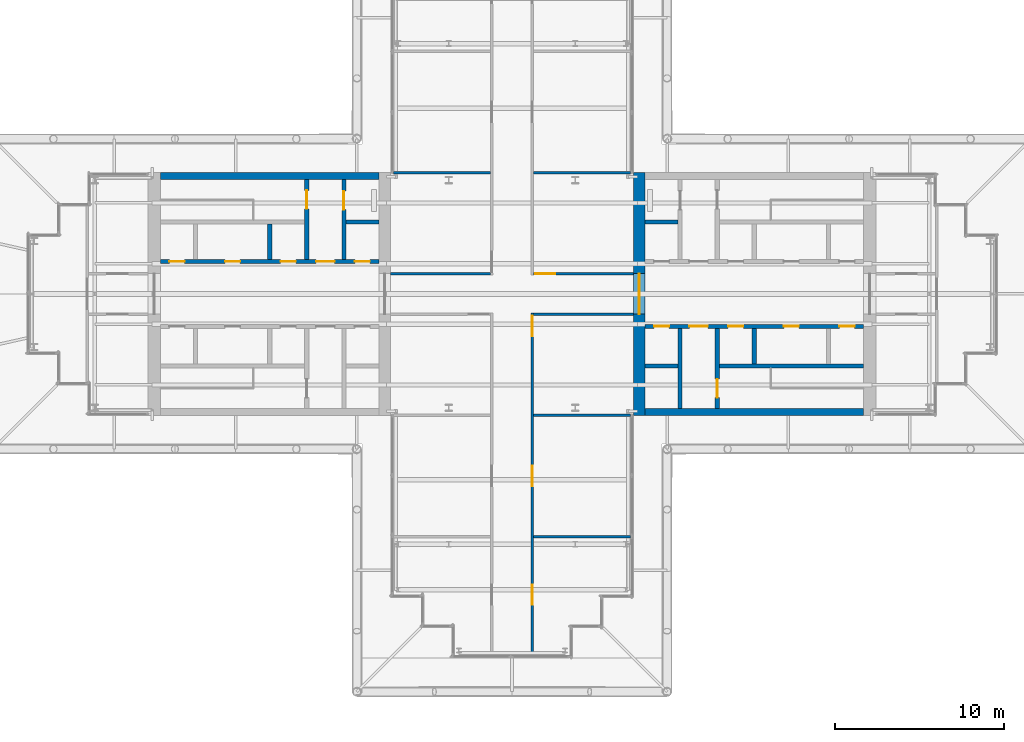
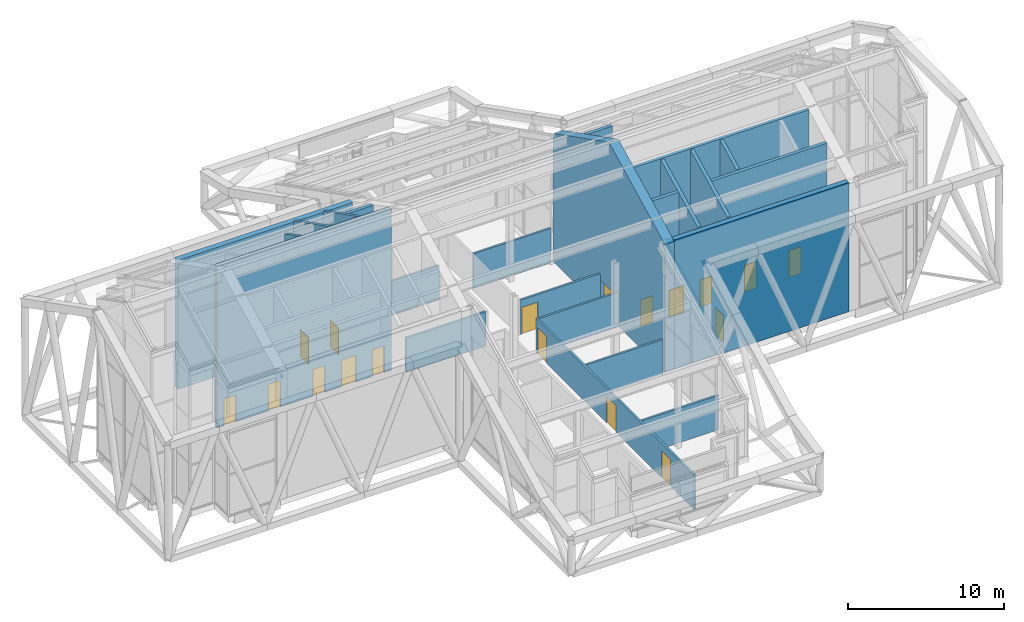
# One storey, part 21 of 25: 23 walls, 18 doors, 18 openings.
"""IFC4 building model written with IfcOpenShell, lengths in metres."""

from ifc_helpers import new_model, si_unit, direction, frame, frame_2d, origin, place, context, subcontext, project, spatial, polyline, rectangle, outline, extrude, material, layer, layer_set, type_object, element, fill, save


model = new_model("IFC4")

# Units and contexts
model_context = context("Model", 3, precision=1e-05, world=origin(), true_north=direction((0.0, 1.0)))
body_context = subcontext(model_context, "Body", "Model", "MODEL_VIEW")
ifc_project = project(units=[si_unit("LENGTHUNIT", "METRE"), si_unit("AREAUNIT", "SQUARE_METRE"), si_unit("VOLUMEUNIT", "CUBIC_METRE"), si_unit("PLANEANGLEUNIT", "RADIAN"), si_unit("MASSUNIT", "GRAM", prefix="KILO")], contexts=[model_context])

# Site, building, storey
site_placement = place(None, origin())
site = spatial("IfcSite", under=ifc_project, at=site_placement, CompositionType="ELEMENT")
building_placement = place(site_placement, origin())
building = spatial("IfcBuilding", under=site, at=building_placement, Name="Fustian Cross Tower", CompositionType="ELEMENT")
storey_placement = place(building_placement, frame((0.0, 0.0, 247.5)))
storey = spatial("IfcBuildingStorey", under=building, at=storey_placement, Name="L77", CompositionType="ELEMENT", Elevation=247.5)

# Walls
ifc_material_1 = material(Name="Plasterboard on steel stud", Category="steel")
ifc_layer_1 = layer(ifc_material_1, 0.14990234375)
ifc_layer_set_1 = layer_set([ifc_layer_1], Name="Plasterboard on steel stud")
wall_type_1 = type_object("IfcWallType", Name="COMPARTMENT WALL 150 EI 60", PredefinedType="PARTITIONING", material=ifc_layer_set_1)
wall_1_placement = place(storey_placement, frame((-7.199951171875, 1.199951171875, 0.0), z_axis=(0.0, 0.0, 1.0), x_axis=(1.0, 0.0, 0.0)))
element("IfcWall", 1, at=wall_1_placement, inside=storey, type_object=wall_type_1, Name="Partition 5", PredefinedType="PARTITIONING", context=body_context, shape_type="SweptSolid", body=[
    extrude(rectangle(XDim=5.925048828125, YDim=0.14990234375, at=frame_2d((2.96240234375, 0.0))), origin(), (0.0, 0.0, 1.0), 2.699951171875),
])
wall_2_placement = place(storey_placement, frame((-7.02001953125, 7.199951171875, 0.0), z_axis=(0.0, 0.0, 1.0), x_axis=(1.0, 0.0, 0.0)))
element("IfcWall", 2, at=wall_2_placement, inside=storey, type_object=wall_type_1, Name="Partition 8", PredefinedType="PARTITIONING", context=body_context, shape_type="SweptSolid", body=[
    extrude(rectangle(XDim=5.7451171875, YDim=0.14990234375, at=frame_2d((2.87255859375, 0.0))), origin(), (0.0, 0.0, 1.0), 2.699951171875),
])

# Wall, openings, doors
wall_3_placement = place(storey_placement, frame((1.199951171875, -21.419921875, 0.0), z_axis=(0.0, 0.0, 1.0), x_axis=(0.0, 1.0, 0.0)))
wall_3 = element("IfcWall", 3, at=wall_3_placement, inside=storey, type_object=wall_type_1, Name="Partition 12", PredefinedType="PARTITIONING", context=body_context, shape_type="SweptSolid", body=[
    extrude(rectangle(XDim=20.294921875, YDim=0.14990234375, at=frame_2d((10.1474609375, 0.0))), origin(), (0.0, 0.0, 1.0), 2.699951171875),
])
opening_1_placement = place(wall_3_placement, frame((18.919921875, 0.0, 0.0)))
opening_1 = element("IfcOpeningElement", 4, at=opening_1_placement, cuts=wall_3, Name="Opening D36004", PredefinedType="OPENING", context=body_context, shape_type="SweptSolid", body=[
    extrude(rectangle(XDim=1.199951171875, YDim=2.10009765625, at=frame_2d((0.60009765625, 1.050048828125))), frame((0.0, 0.0849609375, 0.0), z_axis=(0.0, -1.0, 0.0), x_axis=(1.0, 0.0, 0.0)), (0.0, 0.0, 1.0), 0.169921875),
])
opening_2_placement = place(wall_3_placement, frame((10.02001953125, 0.0, 0.0)))
opening_2 = element("IfcOpeningElement", 5, at=opening_2_placement, cuts=wall_3, Name="Opening D36009", PredefinedType="OPENING", context=body_context, shape_type="SweptSolid", body=[
    extrude(rectangle(XDim=1.199951171875, YDim=2.10009765625, at=frame_2d((0.60009765625, 1.050048828125))), frame((0.0, 0.0849609375, 0.0), z_axis=(0.0, -1.0, 0.0), x_axis=(1.0, 0.0, 0.0)), (0.0, 0.0, 1.0), 0.169921875),
])
opening_3_placement = place(wall_3_placement, frame((2.969970703125, 0.0, 0.0)))
opening_3 = element("IfcOpeningElement", 6, at=opening_3_placement, cuts=wall_3, Name="Opening D36010", PredefinedType="OPENING", context=body_context, shape_type="SweptSolid", body=[
    extrude(rectangle(XDim=1.199951171875, YDim=2.10009765625, at=frame_2d((0.60009765625, 1.050048828125))), frame((0.0, 0.0849609375, 0.0), z_axis=(0.0, -1.0, 0.0), x_axis=(1.0, 0.0, 0.0)), (0.0, 0.0, 1.0), 0.169921875),
])
ifc_material_2 = material(Name="Timber fire door set", Category="wood")
door_type_1 = type_object("IfcDoorType", Name="FIRE SWING DOOR 1200 FD60S", OperationType="SINGLE_SWING_LEFT", PredefinedType="DOOR", material=ifc_material_2)
door_1_placement = place(opening_1_placement, frame((1.199951171875, 0.0, 0.0), z_axis=(0.0, 0.0, 1.0), x_axis=(-1.0, 0.0, 0.0)))
door_1 = element("IfcDoor", 7, at=door_1_placement, inside=storey, type_object=door_type_1, Name="Door D36004", OperationType="SINGLE_SWING_LEFT", OverallHeight=2.10009765625, OverallWidth=1.199951171875, PredefinedType="DOOR", context=body_context, shape_type="SweptSolid", body=[
    extrude(rectangle(XDim=1.199951171875, YDim=2.10009765625, at=frame_2d((0.60009765625, 1.050048828125))), frame((0.0, 0.02490234375, 0.0), z_axis=(0.0, -1.0, 0.0), x_axis=(1.0, 0.0, 0.0)), (0.0, 0.0, 1.0), 0.050048828125),
])
fill(opening_1, door_1)
door_2_placement = place(opening_2_placement, origin())
door_2 = element("IfcDoor", 8, at=door_2_placement, inside=storey, type_object=door_type_1, Name="Door D36009", OperationType="SINGLE_SWING_LEFT", OverallHeight=2.10009765625, OverallWidth=1.199951171875, PredefinedType="DOOR", context=body_context, shape_type="SweptSolid", body=[
    extrude(rectangle(XDim=1.199951171875, YDim=2.10009765625, at=frame_2d((0.60009765625, 1.050048828125))), frame((0.0, 0.02490234375, 0.0), z_axis=(0.0, -1.0, 0.0), x_axis=(1.0, 0.0, 0.0)), (0.0, 0.0, 1.0), 0.050048828125),
])
fill(opening_2, door_2)
door_3_placement = place(opening_3_placement, origin())
door_3 = element("IfcDoor", 9, at=door_3_placement, inside=storey, type_object=door_type_1, Name="Door D36010", OperationType="SINGLE_SWING_LEFT", OverallHeight=2.10009765625, OverallWidth=1.199951171875, PredefinedType="DOOR", context=body_context, shape_type="SweptSolid", body=[
    extrude(rectangle(XDim=1.199951171875, YDim=2.10009765625, at=frame_2d((0.60009765625, 1.050048828125))), frame((0.0, 0.02490234375, 0.0), z_axis=(0.0, -1.0, 0.0), x_axis=(1.0, 0.0, 0.0)), (0.0, 0.0, 1.0), 0.050048828125),
])
fill(opening_3, door_3)

# Walls
for number, where, z_axis, x_axis, name in (
    (10, (1.27490234375, -14.39990234375, 0.0), (0.0, 0.0, 1.0), (1.0, 0.0, 0.0), "Partition 13"),
    (11, (1.27490234375, -7.199951171875, 0.0), (0.0, 0.0, 1.0), (1.0, 0.0, 0.0), "Partition 14"),
):
    element("IfcWall", number, at=place(storey_placement, frame(where, z_axis=z_axis, x_axis=x_axis)), inside=storey, type_object=wall_type_1, Name=name, PredefinedType="PARTITIONING", context=body_context, shape_type="SweptSolid", body=[
        extrude(rectangle(XDim=5.7451171875, YDim=0.14990234375, at=frame_2d((2.87255859375, 0.0))), origin(), (0.0, 0.0, 1.0), 2.699951171875),
    ])
wall_4_placement = place(storey_placement, frame((1.27490234375, -1.199951171875, 0.0), z_axis=(0.0, 0.0, 1.0), x_axis=(1.0, 0.0, 0.0)))
element("IfcWall", 12, at=wall_4_placement, inside=storey, type_object=wall_type_1, Name="Partition 15", PredefinedType="PARTITIONING", context=body_context, shape_type="SweptSolid", body=[
    extrude(rectangle(XDim=5.925048828125, YDim=0.14990234375, at=frame_2d((2.96240234375, 0.0))), origin(), (0.0, 0.0, 1.0), 2.699951171875),
])

# Wall, opening, door
wall_5_placement = place(storey_placement, frame((1.27490234375, 1.199951171875, 0.0), z_axis=(0.0, 0.0, 1.0), x_axis=(1.0, 0.0, 0.0)))
wall_5 = element("IfcWall", 13, at=wall_5_placement, inside=storey, type_object=wall_type_1, Name="Partition 17", PredefinedType="PARTITIONING", context=body_context, shape_type="SweptSolid", body=[
    extrude(rectangle(XDim=5.925048828125, YDim=0.14990234375, at=frame_2d((2.96240234375, 0.0))), origin(), (0.0, 0.0, 1.0), 2.699951171875),
])
opening_4_placement = place(wall_5_placement, frame((0.10009765625, 0.0, 0.0)))
opening_4 = element("IfcOpeningElement", 14, at=opening_4_placement, cuts=wall_5, Name="Opening D36001", PredefinedType="OPENING", context=body_context, shape_type="SweptSolid", body=[
    extrude(rectangle(XDim=1.199951171875, YDim=2.10009765625, at=frame_2d((0.60009765625, 1.050048828125))), frame((0.0, 0.0849609375, 0.0), z_axis=(0.0, -1.0, 0.0), x_axis=(1.0, 0.0, 0.0)), (0.0, 0.0, 1.0), 0.169921875),
])
door_4_placement = place(opening_4_placement, frame((1.199951171875, 0.0, 0.0), z_axis=(0.0, 0.0, 1.0), x_axis=(-1.0, 0.0, 0.0)))
door_4 = element("IfcDoor", 15, at=door_4_placement, inside=storey, type_object=door_type_1, Name="Door D36001", OperationType="SINGLE_SWING_LEFT", OverallHeight=2.10009765625, OverallWidth=1.199951171875, PredefinedType="DOOR", context=body_context, shape_type="SweptSolid", body=[
    extrude(rectangle(XDim=1.199951171875, YDim=2.10009765625, at=frame_2d((0.60009765625, 1.050048828125))), frame((0.0, 0.02490234375, 0.0), z_axis=(0.0, -1.0, 0.0), x_axis=(1.0, 0.0, 0.0)), (0.0, 0.0, 1.0), 0.050048828125),
])
fill(opening_4, door_4)

# Wall
wall_6_placement = place(storey_placement, frame((1.27490234375, 7.199951171875, 0.0), z_axis=(0.0, 0.0, 1.0), x_axis=(1.0, 0.0, 0.0)))
element("IfcWall", 16, at=wall_6_placement, inside=storey, type_object=wall_type_1, Name="Partition 18", PredefinedType="PARTITIONING", context=body_context, shape_type="SweptSolid", body=[
    extrude(rectangle(XDim=5.7451171875, YDim=0.14990234375, at=frame_2d((2.87255859375, 0.0))), origin(), (0.0, 0.0, 1.0), 2.699951171875),
])

# Wall, opening, door
ifc_material_3 = material(Name="Concrete C50/60", Category="concrete")
ifc_layer_2 = layer(ifc_material_3, 0.699951171875)
ifc_layer_set_2 = layer_set([ifc_layer_2], Name="Concrete C50/60")
wall_type_2 = type_object("IfcWallType", Name="CORE END WALL 700 C50/60", PredefinedType="SHEAR", material=ifc_layer_set_2)
wall_7_placement = place(storey_placement, frame((7.550048828125, -7.199951171875, 0.0), z_axis=(0.0, 0.0, 1.0), x_axis=(0.0, 1.0, 0.0)))
wall_7 = element("IfcWall", 17, at=wall_7_placement, inside=storey, type_object=wall_type_2, Name="Core end wall", PredefinedType="SHEAR", context=body_context, shape_type="SweptSolid", body=[
    extrude(outline(polyline([(0.0, 0.0), (14.39990234375, 0.0), (14.39990234375, 10.033447265625), (7.199951171875, 13.699951171875), (0.0, 10.033447265625), (0.0, 0.0)])), frame((0.0, 0.35009765625, 0.0), z_axis=(0.0, -1.0, 0.0), x_axis=(1.0, 0.0, 0.0)), (0.0, 0.0, 1.0), 0.699951171875),
])
opening_5_placement = place(wall_7_placement, frame((6.0, 0.0, 0.0)))
opening_5 = element("IfcOpeningElement", 18, at=opening_5_placement, cuts=wall_7, Name="Opening CD-32-08", PredefinedType="OPENING", context=body_context, shape_type="SweptSolid", body=[
    extrude(rectangle(XDim=2.39990234375, YDim=2.199951171875, at=frame_2d((1.199951171875, 1.10009765625))), frame((0.0, 0.35986328125, 0.0), z_axis=(0.0, -1.0, 0.0), x_axis=(1.0, 0.0, 0.0)), (0.0, 0.0, 1.0), 0.719970703125),
])
ifc_material_4 = material(Name="Steel", Category="steel")
door_type_2 = type_object("IfcDoorType", Name="FIRE DOOR FD30S DOUBLE 2400X2200", OperationType="DOUBLE_DOOR_DOUBLE_SWING", PredefinedType="DOOR", material=ifc_material_4)
door_5_placement = place(opening_5_placement, frame((2.39990234375, 0.0, 0.0), z_axis=(0.0, 0.0, 1.0), x_axis=(-1.0, 0.0, 0.0)))
door_5 = element("IfcDoor", 19, at=door_5_placement, inside=storey, type_object=door_type_2, Name="Core door CD-32-08", OperationType="DOUBLE_DOOR_DOUBLE_SWING", OverallHeight=2.199951171875, OverallWidth=2.39990234375, PredefinedType="DOOR", context=body_context, shape_type="SweptSolid", body=[
    extrude(rectangle(XDim=2.39990234375, YDim=2.199951171875, at=frame_2d((1.199951171875, 1.10009765625))), frame((0.0, 0.02490234375, 0.0), z_axis=(0.0, -1.0, 0.0), x_axis=(1.0, 0.0, 0.0)), (0.0, 0.0, 1.0), 0.050048828125),
])
fill(opening_5, door_5)

# Walls
ifc_material_5 = material(Name="Concrete C50/60", Category="concrete")
ifc_layer_3 = layer(ifc_material_5, 0.39990234375)
ifc_layer_set_3 = layer_set([ifc_layer_3], Name="Concrete C50/60")
wall_type_3 = type_object("IfcWallType", Name="CORE FACADE WALL 400 C50/60", PredefinedType="SHEAR", material=ifc_layer_set_3)
for number, where, z_axis, x_axis, name in (
    (20, (7.89990234375, -7.0, 0.0), (0.0, 0.0, 1.0), (1.0, 0.0, 0.0), "Core facade wall"),
    (21, (-7.89990234375, 7.0, 0.0), (0.0, 0.0, 1.0), (-1.0, 0.0, 0.0), "Core facade wall"),
):
    element("IfcWall", number, at=place(storey_placement, frame(where, z_axis=z_axis, x_axis=x_axis)), inside=storey, type_object=wall_type_3, Name=name, PredefinedType="SHEAR", context=body_context, shape_type="SweptSolid", body=[
        extrude(rectangle(XDim=12.9501953125, YDim=0.39990234375, at=frame_2d((6.47509765625, 0.0))), origin(), (0.0, 0.0, 1.0), 10.13525390625),
    ])

# Wall, openings, doors
ifc_material_6 = material(Name="Concrete C50/60", Category="concrete")
ifc_layer_4 = layer(ifc_material_6, 0.25)
ifc_layer_set_4 = layer_set([ifc_layer_4], Name="Concrete C50/60")
wall_type_4 = type_object("IfcWallType", Name="CORE LOBBY WALL 250 C50/60", PredefinedType="SHEAR", material=ifc_layer_set_4)
wall_8_placement = place(storey_placement, frame((7.89990234375, -1.925048828125, 0.0), z_axis=(0.0, 0.0, 1.0), x_axis=(1.0, 0.0, 0.0)))
wall_8 = element("IfcWall", 22, at=wall_8_placement, inside=storey, type_object=wall_type_4, Name="Core lobby wall", PredefinedType="SHEAR", context=body_context, shape_type="SweptSolid", body=[
    extrude(rectangle(XDim=12.9501953125, YDim=0.25, at=frame_2d((6.47509765625, 0.0))), origin(), (0.0, 0.0, 1.0), 12.7197265625),
])
opening_6_placement = place(wall_8_placement, frame((0.52490234375, 0.0, 0.0)))
opening_6 = element("IfcOpeningElement", 23, at=opening_6_placement, cuts=wall_8, Name="Opening CD-32-05", PredefinedType="OPENING", context=body_context, shape_type="SweptSolid", body=[
    extrude(rectangle(XDim=0.89990234375, YDim=2.10009765625, at=frame_2d((0.449951171875, 1.050048828125))), frame((0.0, 0.135009765625, 0.0), z_axis=(0.0, -1.0, 0.0), x_axis=(1.0, 0.0, 0.0)), (0.0, 0.0, 1.0), 0.27001953125),
])
opening_7_placement = place(wall_8_placement, frame((2.625, 0.0, 0.0)))
opening_7 = element("IfcOpeningElement", 24, at=opening_7_placement, cuts=wall_8, Name="Opening CD-32-07", PredefinedType="OPENING", context=body_context, shape_type="SweptSolid", body=[
    extrude(rectangle(XDim=1.10009765625, YDim=2.10009765625, at=frame_2d((0.550048828125, 1.050048828125))), frame((0.0, 0.135009765625, 0.0), z_axis=(0.0, -1.0, 0.0), x_axis=(1.0, 0.0, 0.0)), (0.0, 0.0, 1.0), 0.27001953125),
])
opening_8_placement = place(wall_8_placement, frame((4.925048828125, 0.0, 0.0)))
opening_8 = element("IfcOpeningElement", 25, at=opening_8_placement, cuts=wall_8, Name="Opening CD-32-13", PredefinedType="OPENING", context=body_context, shape_type="SweptSolid", body=[
    extrude(rectangle(XDim=0.89990234375, YDim=2.10009765625, at=frame_2d((0.449951171875, 1.050048828125))), frame((0.0, 0.135009765625, 0.0), z_axis=(0.0, -1.0, 0.0), x_axis=(1.0, 0.0, 0.0)), (0.0, 0.0, 1.0), 0.27001953125),
])
opening_9_placement = place(wall_8_placement, frame((8.22509765625, 0.0, 0.0)))
opening_9 = element("IfcOpeningElement", 26, at=opening_9_placement, cuts=wall_8, Name="Opening CD-32-14", PredefinedType="OPENING", context=body_context, shape_type="SweptSolid", body=[
    extrude(rectangle(XDim=0.89990234375, YDim=2.10009765625, at=frame_2d((0.449951171875, 1.050048828125))), frame((0.0, 0.135009765625, 0.0), z_axis=(0.0, -1.0, 0.0), x_axis=(1.0, 0.0, 0.0)), (0.0, 0.0, 1.0), 0.27001953125),
])
opening_10_placement = place(wall_8_placement, frame((11.52490234375, 0.0, 0.0)))
opening_10 = element("IfcOpeningElement", 27, at=opening_10_placement, cuts=wall_8, Name="Opening CD-32-15", PredefinedType="OPENING", context=body_context, shape_type="SweptSolid", body=[
    extrude(rectangle(XDim=0.89990234375, YDim=2.10009765625, at=frame_2d((0.449951171875, 1.050048828125))), frame((0.0, 0.135009765625, 0.0), z_axis=(0.0, -1.0, 0.0), x_axis=(1.0, 0.0, 0.0)), (0.0, 0.0, 1.0), 0.27001953125),
])
ifc_material_7 = material(Name="Steel", Category="steel")
door_type_3 = type_object("IfcDoorType", Name="FIRE DOOR FD30S 1100X2100", OperationType="SINGLE_SWING_LEFT", PredefinedType="DOOR", material=ifc_material_7)
door_6_placement = place(opening_7_placement, frame((1.10009765625, 0.0, 0.0), z_axis=(0.0, 0.0, 1.0), x_axis=(-1.0, 0.0, 0.0)))
door_6 = element("IfcDoor", 28, at=door_6_placement, inside=storey, type_object=door_type_3, Name="Core door CD-32-07", OperationType="SINGLE_SWING_RIGHT", OverallHeight=2.10009765625, OverallWidth=1.10009765625, PredefinedType="DOOR", context=body_context, shape_type="SweptSolid", body=[
    extrude(rectangle(XDim=1.10009765625, YDim=2.10009765625, at=frame_2d((0.550048828125, 1.050048828125))), frame((0.0, 0.02490234375, 0.0), z_axis=(0.0, -1.0, 0.0), x_axis=(1.0, 0.0, 0.0)), (0.0, 0.0, 1.0), 0.050048828125),
])
fill(opening_7, door_6)
ifc_material_8 = material(Name="Steel", Category="steel")
door_type_4 = type_object("IfcDoorType", Name="FIRE DOOR FD30S 900X2100", OperationType="SINGLE_SWING_LEFT", PredefinedType="DOOR", material=ifc_material_8)
door_7_placement = place(opening_6_placement, frame((0.89990234375, 0.0, 0.0), z_axis=(0.0, 0.0, 1.0), x_axis=(-1.0, 0.0, 0.0)))
door_7 = element("IfcDoor", 29, at=door_7_placement, inside=storey, type_object=door_type_4, Name="Core door CD-32-05", OperationType="SINGLE_SWING_RIGHT", OverallHeight=2.10009765625, OverallWidth=0.89990234375, PredefinedType="DOOR", context=body_context, shape_type="SweptSolid", body=[
    extrude(rectangle(XDim=0.89990234375, YDim=2.10009765625, at=frame_2d((0.449951171875, 1.050048828125))), frame((0.0, 0.02490234375, 0.0), z_axis=(0.0, -1.0, 0.0), x_axis=(1.0, 0.0, 0.0)), (0.0, 0.0, 1.0), 0.050048828125),
])
fill(opening_6, door_7)
door_8_placement = place(opening_8_placement, frame((0.89990234375, 0.0, 0.0), z_axis=(0.0, 0.0, 1.0), x_axis=(-1.0, 0.0, 0.0)))
door_8 = element("IfcDoor", 30, at=door_8_placement, inside=storey, type_object=door_type_4, Name="Core door CD-32-13", OperationType="SINGLE_SWING_RIGHT", OverallHeight=2.10009765625, OverallWidth=0.89990234375, PredefinedType="DOOR", context=body_context, shape_type="SweptSolid", body=[
    extrude(rectangle(XDim=0.89990234375, YDim=2.10009765625, at=frame_2d((0.449951171875, 1.050048828125))), frame((0.0, 0.02490234375, 0.0), z_axis=(0.0, -1.0, 0.0), x_axis=(1.0, 0.0, 0.0)), (0.0, 0.0, 1.0), 0.050048828125),
])
fill(opening_8, door_8)
door_9_placement = place(opening_9_placement, frame((0.89990234375, 0.0, 0.0), z_axis=(0.0, 0.0, 1.0), x_axis=(-1.0, 0.0, 0.0)))
door_9 = element("IfcDoor", 31, at=door_9_placement, inside=storey, type_object=door_type_4, Name="Core door CD-32-14", OperationType="SINGLE_SWING_LEFT", OverallHeight=2.10009765625, OverallWidth=0.89990234375, PredefinedType="DOOR", context=body_context, shape_type="SweptSolid", body=[
    extrude(rectangle(XDim=0.89990234375, YDim=2.10009765625, at=frame_2d((0.449951171875, 1.050048828125))), frame((0.0, 0.02490234375, 0.0), z_axis=(0.0, -1.0, 0.0), x_axis=(1.0, 0.0, 0.0)), (0.0, 0.0, 1.0), 0.050048828125),
])
fill(opening_9, door_9)
door_10_placement = place(opening_10_placement, frame((0.89990234375, 0.0, 0.0), z_axis=(0.0, 0.0, 1.0), x_axis=(-1.0, 0.0, 0.0)))
door_10 = element("IfcDoor", 32, at=door_10_placement, inside=storey, type_object=door_type_4, Name="Core door CD-32-15", OperationType="SINGLE_SWING_RIGHT", OverallHeight=2.10009765625, OverallWidth=0.89990234375, PredefinedType="DOOR", context=body_context, shape_type="SweptSolid", body=[
    extrude(rectangle(XDim=0.89990234375, YDim=2.10009765625, at=frame_2d((0.449951171875, 1.050048828125))), frame((0.0, 0.02490234375, 0.0), z_axis=(0.0, -1.0, 0.0), x_axis=(1.0, 0.0, 0.0)), (0.0, 0.0, 1.0), 0.050048828125),
])
fill(opening_10, door_10)

wall_9_placement = place(storey_placement, frame((-7.89990234375, 1.925048828125, 0.0), z_axis=(0.0, 0.0, 1.0), x_axis=(-1.0, 0.0, 0.0)))
wall_9 = element("IfcWall", 33, at=wall_9_placement, inside=storey, type_object=wall_type_4, Name="Core lobby wall", PredefinedType="SHEAR", context=body_context, shape_type="SweptSolid", body=[
    extrude(rectangle(XDim=12.9501953125, YDim=0.25, at=frame_2d((6.47509765625, 0.0))), origin(), (0.0, 0.0, 1.0), 12.7197265625),
])
opening_11_placement = place(wall_9_placement, frame((0.52490234375, 0.0, 0.0)))
opening_11 = element("IfcOpeningElement", 34, at=opening_11_placement, cuts=wall_9, Name="Opening CD-32-19", PredefinedType="OPENING", context=body_context, shape_type="SweptSolid", body=[
    extrude(rectangle(XDim=0.89990234375, YDim=2.10009765625, at=frame_2d((0.449951171875, 1.050048828125))), frame((0.0, 0.135009765625, 0.0), z_axis=(0.0, -1.0, 0.0), x_axis=(1.0, 0.0, 0.0)), (0.0, 0.0, 1.0), 0.27001953125),
])
opening_12_placement = place(wall_9_placement, frame((2.625, 0.0, 0.0)))
opening_12 = element("IfcOpeningElement", 35, at=opening_12_placement, cuts=wall_9, Name="Opening CD-32-21", PredefinedType="OPENING", context=body_context, shape_type="SweptSolid", body=[
    extrude(rectangle(XDim=1.10009765625, YDim=2.10009765625, at=frame_2d((0.550048828125, 1.050048828125))), frame((0.0, 0.135009765625, 0.0), z_axis=(0.0, -1.0, 0.0), x_axis=(1.0, 0.0, 0.0)), (0.0, 0.0, 1.0), 0.27001953125),
])
opening_13_placement = place(wall_9_placement, frame((4.925048828125, 0.0, 0.0)))
opening_13 = element("IfcOpeningElement", 36, at=opening_13_placement, cuts=wall_9, Name="Opening CD-32-25", PredefinedType="OPENING", context=body_context, shape_type="SweptSolid", body=[
    extrude(rectangle(XDim=0.89990234375, YDim=2.10009765625, at=frame_2d((0.449951171875, 1.050048828125))), frame((0.0, 0.135009765625, 0.0), z_axis=(0.0, -1.0, 0.0), x_axis=(1.0, 0.0, 0.0)), (0.0, 0.0, 1.0), 0.27001953125),
])
opening_14_placement = place(wall_9_placement, frame((8.22509765625, 0.0, 0.0)))
opening_14 = element("IfcOpeningElement", 37, at=opening_14_placement, cuts=wall_9, Name="Opening CD-32-26", PredefinedType="OPENING", context=body_context, shape_type="SweptSolid", body=[
    extrude(rectangle(XDim=0.89990234375, YDim=2.10009765625, at=frame_2d((0.449951171875, 1.050048828125))), frame((0.0, 0.135009765625, 0.0), z_axis=(0.0, -1.0, 0.0), x_axis=(1.0, 0.0, 0.0)), (0.0, 0.0, 1.0), 0.27001953125),
])
opening_15_placement = place(wall_9_placement, frame((11.52490234375, 0.0, 0.0)))
opening_15 = element("IfcOpeningElement", 38, at=opening_15_placement, cuts=wall_9, Name="Opening CD-32-27", PredefinedType="OPENING", context=body_context, shape_type="SweptSolid", body=[
    extrude(rectangle(XDim=0.89990234375, YDim=2.10009765625, at=frame_2d((0.449951171875, 1.050048828125))), frame((0.0, 0.135009765625, 0.0), z_axis=(0.0, -1.0, 0.0), x_axis=(1.0, 0.0, 0.0)), (0.0, 0.0, 1.0), 0.27001953125),
])
door_11_placement = place(opening_13_placement, frame((0.89990234375, 0.0, 0.0), z_axis=(0.0, 0.0, 1.0), x_axis=(-1.0, 0.0, 0.0)))
door_11 = element("IfcDoor", 39, at=door_11_placement, inside=storey, type_object=door_type_4, Name="Core door CD-32-25", OperationType="SINGLE_SWING_RIGHT", OverallHeight=2.10009765625, OverallWidth=0.89990234375, PredefinedType="DOOR", context=body_context, shape_type="SweptSolid", body=[
    extrude(rectangle(XDim=0.89990234375, YDim=2.10009765625, at=frame_2d((0.449951171875, 1.050048828125))), frame((0.0, 0.02490234375, 0.0), z_axis=(0.0, -1.0, 0.0), x_axis=(1.0, 0.0, 0.0)), (0.0, 0.0, 1.0), 0.050048828125),
])
fill(opening_13, door_11)
door_12_placement = place(opening_14_placement, frame((0.89990234375, 0.0, 0.0), z_axis=(0.0, 0.0, 1.0), x_axis=(-1.0, 0.0, 0.0)))
door_12 = element("IfcDoor", 40, at=door_12_placement, inside=storey, type_object=door_type_4, Name="Core door CD-32-26", OperationType="SINGLE_SWING_LEFT", OverallHeight=2.10009765625, OverallWidth=0.89990234375, PredefinedType="DOOR", context=body_context, shape_type="SweptSolid", body=[
    extrude(rectangle(XDim=0.89990234375, YDim=2.10009765625, at=frame_2d((0.449951171875, 1.050048828125))), frame((0.0, 0.02490234375, 0.0), z_axis=(0.0, -1.0, 0.0), x_axis=(1.0, 0.0, 0.0)), (0.0, 0.0, 1.0), 0.050048828125),
])
fill(opening_14, door_12)
door_13_placement = place(opening_15_placement, frame((0.89990234375, 0.0, 0.0), z_axis=(0.0, 0.0, 1.0), x_axis=(-1.0, 0.0, 0.0)))
door_13 = element("IfcDoor", 41, at=door_13_placement, inside=storey, type_object=door_type_4, Name="Core door CD-32-27", OperationType="SINGLE_SWING_RIGHT", OverallHeight=2.10009765625, OverallWidth=0.89990234375, PredefinedType="DOOR", context=body_context, shape_type="SweptSolid", body=[
    extrude(rectangle(XDim=0.89990234375, YDim=2.10009765625, at=frame_2d((0.449951171875, 1.050048828125))), frame((0.0, 0.02490234375, 0.0), z_axis=(0.0, -1.0, 0.0), x_axis=(1.0, 0.0, 0.0)), (0.0, 0.0, 1.0), 0.050048828125),
])
fill(opening_15, door_13)
ifc_material_9 = material(Name="Steel", Category="steel")
door_type_5 = type_object("IfcDoorType", Name="FIRE DOOR FD60S 1100X2100", OperationType="SINGLE_SWING_LEFT", PredefinedType="DOOR", material=ifc_material_9)
door_14_placement = place(opening_12_placement, frame((1.10009765625, 0.0, 0.0), z_axis=(0.0, 0.0, 1.0), x_axis=(-1.0, 0.0, 0.0)))
door_14 = element("IfcDoor", 42, at=door_14_placement, inside=storey, type_object=door_type_5, Name="Core door CD-32-21", OperationType="SINGLE_SWING_RIGHT", OverallHeight=2.10009765625, OverallWidth=1.10009765625, PredefinedType="DOOR", context=body_context, shape_type="SweptSolid", body=[
    extrude(rectangle(XDim=1.10009765625, YDim=2.10009765625, at=frame_2d((0.550048828125, 1.050048828125))), frame((0.0, 0.02490234375, 0.0), z_axis=(0.0, -1.0, 0.0), x_axis=(1.0, 0.0, 0.0)), (0.0, 0.0, 1.0), 0.050048828125),
])
fill(opening_12, door_14)
ifc_material_10 = material(Name="Steel", Category="steel")
door_type_6 = type_object("IfcDoorType", Name="FIRE DOOR FD60S 900X2100", OperationType="SINGLE_SWING_LEFT", PredefinedType="DOOR", material=ifc_material_10)
door_15_placement = place(opening_11_placement, frame((0.89990234375, 0.0, 0.0), z_axis=(0.0, 0.0, 1.0), x_axis=(-1.0, 0.0, 0.0)))
door_15 = element("IfcDoor", 43, at=door_15_placement, inside=storey, type_object=door_type_6, Name="Core door CD-32-19", OperationType="SINGLE_SWING_RIGHT", OverallHeight=2.10009765625, OverallWidth=0.89990234375, PredefinedType="DOOR", context=body_context, shape_type="SweptSolid", body=[
    extrude(rectangle(XDim=0.89990234375, YDim=2.10009765625, at=frame_2d((0.449951171875, 1.050048828125))), frame((0.0, 0.02490234375, 0.0), z_axis=(0.0, -1.0, 0.0), x_axis=(1.0, 0.0, 0.0)), (0.0, 0.0, 1.0), 0.050048828125),
])
fill(opening_11, door_15)

# Walls
ifc_material_11 = material(Name="Concrete C50/60", Category="concrete")
ifc_layer_5 = layer(ifc_material_11, 0.25)
ifc_layer_set_5 = layer_set([ifc_layer_5], Name="Concrete C50/60")
wall_type_5 = type_object("IfcWallType", Name="CORE SHAFT WALL 250 C50/60", PredefinedType="SHEAR", material=ifc_layer_set_5)
for number, where, z_axis, x_axis, name in (
    (44, (7.89990234375, 4.27490234375, 0.0), (0.0, 0.0, 1.0), (1.0, 0.0, 0.0), "Core shaft wall"),
    (45, (7.89990234375, -4.27490234375, 0.0), (0.0, 0.0, 1.0), (1.0, 0.0, 0.0), "Core shaft wall"),
):
    element("IfcWall", number, at=place(storey_placement, frame(where, z_axis=z_axis, x_axis=x_axis)), inside=storey, type_object=wall_type_5, Name=name, PredefinedType="SHEAR", context=body_context, shape_type="SweptSolid", body=[
        extrude(rectangle(XDim=1.9501953125, YDim=0.25, at=frame_2d((0.97509765625, 0.0))), origin(), (0.0, 0.0, 1.0), 11.52294921875),
    ])
wall_10_placement = place(storey_placement, frame((12.300048828125, -4.27490234375, 0.0), z_axis=(0.0, 0.0, 1.0), x_axis=(1.0, 0.0, 0.0)))
element("IfcWall", 46, at=wall_10_placement, inside=storey, type_object=wall_type_5, Name="Core shaft wall", PredefinedType="SHEAR", context=body_context, shape_type="SweptSolid", body=[
    extrude(rectangle(XDim=8.550048828125, YDim=0.25, at=frame_2d((4.27490234375, 0.0))), origin(), (0.0, 0.0, 1.0), 11.52294921875),
])
wall_11_placement = place(storey_placement, frame((9.97509765625, -2.050048828125, 0.0), z_axis=(0.0, 0.0, 1.0), x_axis=(0.0, -1.0, 0.0)))
element("IfcWall", 47, at=wall_11_placement, inside=storey, type_object=wall_type_5, Name="Core shaft wall", PredefinedType="SHEAR", context=body_context, shape_type="SweptSolid", body=[
    extrude(outline(polyline([(0.0, 0.0), (4.75, 0.0), (4.75, 10.237060546875), (0.0, 12.656005859375), (0.0, 0.0)])), frame((0.0, 0.125, 0.0), z_axis=(0.0, -1.0, 0.0), x_axis=(1.0, 0.0, 0.0)), (0.0, 0.0, 1.0), 0.25),
])

# Wall, opening, door
wall_12_placement = place(storey_placement, frame((12.175048828125, -2.050048828125, 0.0), z_axis=(0.0, 0.0, 1.0), x_axis=(0.0, -1.0, 0.0)))
wall_12 = element("IfcWall", 48, at=wall_12_placement, inside=storey, type_object=wall_type_5, Name="Core shaft wall", PredefinedType="SHEAR", context=body_context, shape_type="SweptSolid", body=[
    extrude(outline(polyline([(0.0, 0.0), (4.75, 0.0), (4.75, 10.237060546875), (0.0, 12.656005859375), (0.0, 0.0)])), frame((0.0, 0.125, 0.0), z_axis=(0.0, -1.0, 0.0), x_axis=(1.0, 0.0, 0.0)), (0.0, 0.0, 1.0), 0.25),
])
opening_16_placement = place(wall_12_placement, frame((3.0, 0.0, 0.0)))
opening_16 = element("IfcOpeningElement", 49, at=opening_16_placement, cuts=wall_12, Name="Opening CD-32-03", PredefinedType="OPENING", context=body_context, shape_type="SweptSolid", body=[
    extrude(rectangle(XDim=1.10009765625, YDim=2.10009765625, at=frame_2d((0.550048828125, 1.050048828125))), frame((0.0, 0.135009765625, 0.0), z_axis=(0.0, -1.0, 0.0), x_axis=(1.0, 0.0, 0.0)), (0.0, 0.0, 1.0), 0.27001953125),
])
door_16_placement = place(opening_16_placement, origin())
door_16 = element("IfcDoor", 50, at=door_16_placement, inside=storey, type_object=door_type_5, Name="Core door CD-32-03", OperationType="SINGLE_SWING_LEFT", OverallHeight=2.10009765625, OverallWidth=1.10009765625, PredefinedType="DOOR", context=body_context, shape_type="SweptSolid", body=[
    extrude(rectangle(XDim=1.10009765625, YDim=2.10009765625, at=frame_2d((0.550048828125, 1.050048828125))), frame((0.0, 0.02490234375, 0.0), z_axis=(0.0, -1.0, 0.0), x_axis=(1.0, 0.0, 0.0)), (0.0, 0.0, 1.0), 0.050048828125),
])
fill(opening_16, door_16)

# Wall
wall_13_placement = place(storey_placement, frame((-7.89990234375, 4.27490234375, 0.0), z_axis=(0.0, 0.0, 1.0), x_axis=(-1.0, 0.0, 0.0)))
element("IfcWall", 51, at=wall_13_placement, inside=storey, type_object=wall_type_5, Name="Core shaft wall", PredefinedType="SHEAR", context=body_context, shape_type="SweptSolid", body=[
    extrude(rectangle(XDim=1.9501953125, YDim=0.25, at=frame_2d((0.97509765625, 0.0))), origin(), (0.0, 0.0, 1.0), 11.52294921875),
])

# Wall, opening, door
wall_14_placement = place(storey_placement, frame((-9.97509765625, 2.050048828125, 0.0), z_axis=(0.0, 0.0, 1.0), x_axis=(0.0, 1.0, 0.0)))
wall_14 = element("IfcWall", 52, at=wall_14_placement, inside=storey, type_object=wall_type_5, Name="Core shaft wall", PredefinedType="SHEAR", context=body_context, shape_type="SweptSolid", body=[
    extrude(outline(polyline([(0.0, 0.0), (4.75, 0.0), (4.75, 10.237060546875), (0.0, 12.656005859375), (0.0, 0.0)])), frame((0.0, 0.125, 0.0), z_axis=(0.0, -1.0, 0.0), x_axis=(1.0, 0.0, 0.0)), (0.0, 0.0, 1.0), 0.25),
])
opening_17_placement = place(wall_14_placement, frame((2.949951171875, 0.0, 0.0)))
opening_17 = element("IfcOpeningElement", 53, at=opening_17_placement, cuts=wall_14, Name="Opening LD", PredefinedType="OPENING", context=body_context, shape_type="SweptSolid", body=[
    extrude(rectangle(XDim=1.10009765625, YDim=2.10009765625, at=frame_2d((0.550048828125, 1.050048828125))), frame((0.0, 0.135009765625, 0.0), z_axis=(0.0, -1.0, 0.0), x_axis=(1.0, 0.0, 0.0)), (0.0, 0.0, 1.0), 0.27001953125),
])
ifc_material_12 = material(Name="Stainless steel", Category="steel")
door_type_7 = type_object("IfcDoorType", Name="LIFT LANDING DOOR 1100X2100", OperationType="SLIDING_TO_LEFT", PredefinedType="DOOR", material=ifc_material_12)
door_17_placement = place(opening_17_placement, origin())
door_17 = element("IfcDoor", 54, at=door_17_placement, inside=storey, type_object=door_type_7, Name="Landing door FL1W", OperationType="SLIDING_TO_LEFT", OverallHeight=2.10009765625, OverallWidth=1.10009765625, PredefinedType="DOOR", context=body_context, shape_type="SweptSolid", body=[
    extrude(rectangle(XDim=1.10009765625, YDim=2.10009765625, at=frame_2d((0.550048828125, 1.050048828125))), frame((0.0, 0.02490234375, 0.0), z_axis=(0.0, -1.0, 0.0), x_axis=(1.0, 0.0, 0.0)), (0.0, 0.0, 1.0), 0.050048828125),
])
fill(opening_17, door_17)

wall_15_placement = place(storey_placement, frame((-12.175048828125, 2.050048828125, 0.0), z_axis=(0.0, 0.0, 1.0), x_axis=(0.0, 1.0, 0.0)))
wall_15 = element("IfcWall", 55, at=wall_15_placement, inside=storey, type_object=wall_type_5, Name="Core shaft wall", PredefinedType="SHEAR", context=body_context, shape_type="SweptSolid", body=[
    extrude(outline(polyline([(0.0, 0.0), (4.75, 0.0), (4.75, 10.237060546875), (0.0, 12.656005859375), (0.0, 0.0)])), frame((0.0, 0.125, 0.0), z_axis=(0.0, -1.0, 0.0), x_axis=(1.0, 0.0, 0.0)), (0.0, 0.0, 1.0), 0.25),
])
opening_18_placement = place(wall_15_placement, frame((3.0, 0.0, 0.0)))
opening_18 = element("IfcOpeningElement", 56, at=opening_18_placement, cuts=wall_15, Name="Opening CD-32-17", PredefinedType="OPENING", context=body_context, shape_type="SweptSolid", body=[
    extrude(rectangle(XDim=1.10009765625, YDim=2.10009765625, at=frame_2d((0.550048828125, 1.050048828125))), frame((0.0, 0.135009765625, 0.0), z_axis=(0.0, -1.0, 0.0), x_axis=(1.0, 0.0, 0.0)), (0.0, 0.0, 1.0), 0.27001953125),
])
door_18_placement = place(opening_18_placement, origin())
door_18 = element("IfcDoor", 57, at=door_18_placement, inside=storey, type_object=door_type_5, Name="Core door CD-32-17", OperationType="SINGLE_SWING_LEFT", OverallHeight=2.10009765625, OverallWidth=1.10009765625, PredefinedType="DOOR", context=body_context, shape_type="SweptSolid", body=[
    extrude(rectangle(XDim=1.10009765625, YDim=2.10009765625, at=frame_2d((0.550048828125, 1.050048828125))), frame((0.0, 0.02490234375, 0.0), z_axis=(0.0, -1.0, 0.0), x_axis=(1.0, 0.0, 0.0)), (0.0, 0.0, 1.0), 0.050048828125),
])
fill(opening_18, door_18)

# Walls
ifc_material_13 = material(Name="Concrete C40/50", Category="concrete")
ifc_layer_6 = layer(ifc_material_13, 0.25)
ifc_layer_set_6 = layer_set([ifc_layer_6], Name="Concrete C40/50")
wall_type_6 = type_object("IfcWallType", Name="SHAFT PARTITION WALL 250 C40/50", PredefinedType="PARTITIONING", material=ifc_layer_set_6)
for number, where, z_axis, x_axis, name in (
    (58, (14.375, -2.050048828125, 0.0), (0.0, 0.0, 1.0), (0.0, -1.0, 0.0), "Core shaft wall"),
    (59, (-14.375, 2.050048828125, 0.0), (0.0, 0.0, 1.0), (0.0, 1.0, 0.0), "Core shaft wall"),
):
    element("IfcWall", number, at=place(storey_placement, frame(where, z_axis=z_axis, x_axis=x_axis)), inside=storey, type_object=wall_type_6, Name=name, PredefinedType="PARTITIONING", context=body_context, shape_type="SweptSolid", body=[
        extrude(outline(polyline([(0.0, 0.0), (2.099853515625, 0.0), (2.10009765625, 11.586669921875), (0.0, 12.656005859375), (0.0, 0.0)])), frame((0.0, 0.125, 0.0), z_axis=(0.0, -1.0, 0.0), x_axis=(1.0, 0.0, 0.0)), (0.0, 0.0, 1.0), 0.25),
    ])

save(model, "model.ifc")
